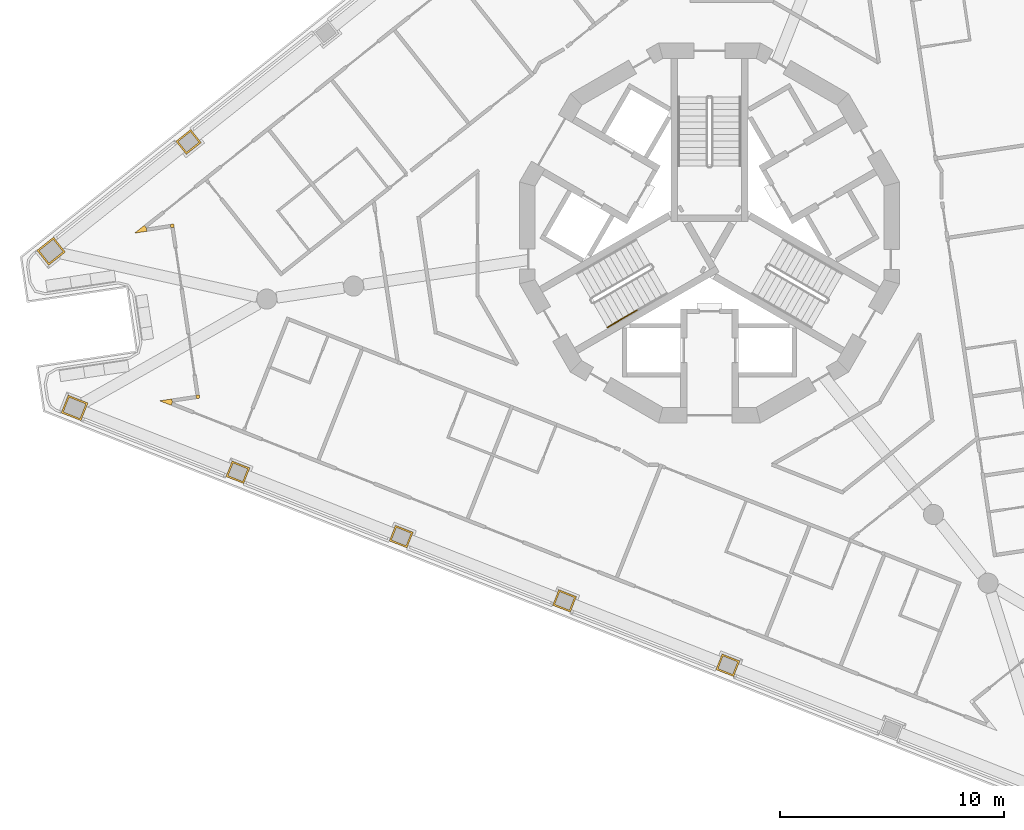
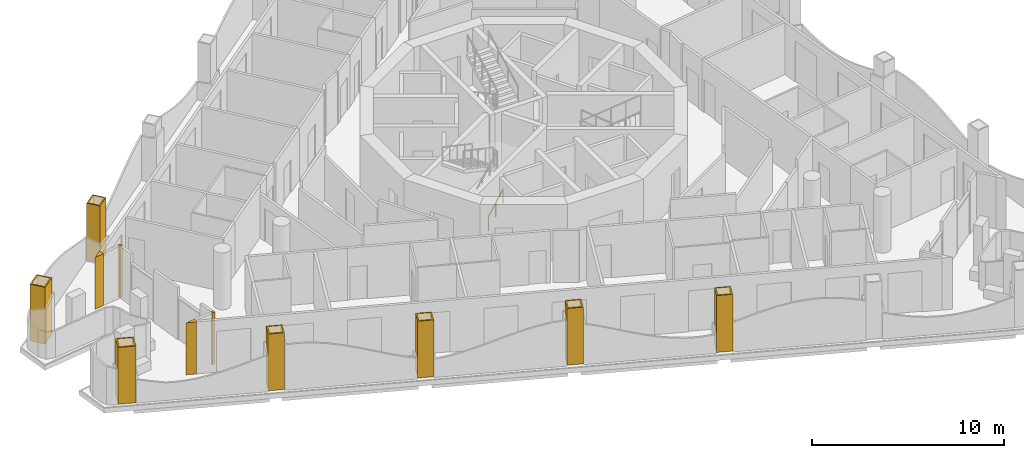
# One storey, part 10 of 16: 11 coverings, 1 railing.
"""IFC4 building model written with IfcOpenShell, lengths in metres."""

import ifcopenshell
import ifcopenshell.guid

model = None  # the IFC model being written
_history = None  # IfcOwnerHistory: only IFC2X3 demands one
_inside = {}  # id of a spatial element -> (the spatial element, [elements in it])
_under = {}  # id of a project, library or spatial element -> (it, [spatial elements below it])
_declared = {}  # id of a project -> (the project, [libraries it declares])
_typed = {}  # id of a type object -> (the type object, [elements of that type])
_made_of = {}  # id of a material, layer set ... -> (it, [elements and type objects made of it])


def new_model(schema):
    """Start an empty IFC model of exactly this schema.

    Asked for "IFC4X3", IfcOpenShell would pick the latest addendum, in which some entities
    have other attributes; the version numbers below select the first issue.
    IFC2X3 requires an IfcOwnerHistory on every rooted entity: one is made here for all.
    """
    global model, _history
    if schema == "IFC4X3":
        model = ifcopenshell.file(schema_version=(4, 3, 0, 0))
    else:
        model = ifcopenshell.file(schema=schema)
    _inside.clear()
    _under.clear()
    _declared.clear()
    _typed.clear()
    _made_of.clear()
    _history = None
    if model.schema == "IFC2X3":
        org = make("IfcOrganization", Name="unknown")
        user = make(
            "IfcPersonAndOrganization",
            ThePerson=make("IfcPerson", FamilyName="unknown"),
            TheOrganization=org,
        )
        app = make(
            "IfcApplication",
            ApplicationDeveloper=org,
            Version="unknown",
            ApplicationFullName="unknown",
            ApplicationIdentifier="unknown",
        )
        _history = make(
            "IfcOwnerHistory",
            OwningUser=user,
            OwningApplication=app,
            ChangeAction="ADDED",
            CreationDate=0,
        )
    return model


def make(cls, **values):
    """One entity of the class cls with the attributes given. An attribute that is None is left unset."""
    return model.create_entity(
        cls, **{name: value for name, value in values.items() if value is not None}
    )


def rooted(cls, **values):
    """An entity with a GlobalId (a new one), such as an element, a storey or a relation."""
    return make(cls, GlobalId=ifcopenshell.guid.new(), OwnerHistory=_history, **values)


def si_unit(unit_type, name, prefix=None):
    """IfcSIUnit, for example si_unit("LENGTHUNIT", "METRE", prefix="MILLI")."""
    return make("IfcSIUnit", UnitType=unit_type, Prefix=prefix, Name=name)


def assignment(units):
    """IfcUnitAssignment: the units of a project."""
    return None if units is None else make("IfcUnitAssignment", Units=units)


def point(xyz):
    """IfcCartesianPoint."""
    return None if xyz is None else make("IfcCartesianPoint", Coordinates=xyz)


def direction(xyz):
    """IfcDirection."""
    return None if xyz is None else make("IfcDirection", DirectionRatios=xyz)


def frame(location, z_axis=None, x_axis=None):
    """IfcAxis2Placement3D, a coordinate frame: its origin and axes. An axis left out is left unset."""
    return make(
        "IfcAxis2Placement3D",
        Location=point(location),
        Axis=direction(z_axis),
        RefDirection=direction(x_axis),
    )


def frame_2d(location, x_axis=None):
    """IfcAxis2Placement2D, a coordinate frame in the plane: its origin and x axis."""
    return make(
        "IfcAxis2Placement2D", Location=point(location), RefDirection=direction(x_axis)
    )


def origin():
    """The frame at (0, 0, 0) with its axes left unset."""
    return frame((0.0, 0.0, 0.0))


def origin_2d():
    """The frame at (0, 0) in the plane with its x axis left unset."""
    return frame_2d((0.0, 0.0))


def place(relative_to, where):
    """IfcLocalPlacement: puts the frame where relative to a parent placement (None: the world)."""
    return make(
        "IfcLocalPlacement", PlacementRelTo=relative_to, RelativePlacement=where
    )


def context(
    kind, dimensions, precision=None, world=None, true_north=None, identifier=None
):
    """IfcGeometricRepresentationContext, for example the 3D "Model" context."""
    return make(
        "IfcGeometricRepresentationContext",
        ContextIdentifier=identifier,
        ContextType=kind,
        CoordinateSpaceDimension=dimensions,
        Precision=precision,
        WorldCoordinateSystem=world,
        TrueNorth=true_north,
    )


def subcontext(parent, identifier, kind, view, scale=None):
    """IfcGeometricRepresentationSubContext, for example "Body" below "Model"."""
    return make(
        "IfcGeometricRepresentationSubContext",
        ContextIdentifier=identifier,
        ContextType=kind,
        ParentContext=parent,
        TargetScale=scale,
        TargetView=view,
    )


def project(units=None, contexts=None):
    """IfcProject with its units and contexts."""
    return rooted(
        "IfcProject",
        Name="project",
        RepresentationContexts=contexts,
        UnitsInContext=assignment(units),
    )


def spatial(cls, under=None, at=None, **own):
    """A site, building, storey or space (cls), placed at a placement, below another one or the project."""
    s = rooted(cls, ObjectPlacement=at, **own)
    if under is not None:
        _under.setdefault(under.id(), (under, []))[1].append(s)
    return s


def polyline(points):
    """IfcPolyline through the points."""
    return make("IfcPolyline", Points=[point(p) for p in points])


def profile(cls, at=None, kind="AREA", **sizes):
    """A parametric profile (cls). Its sizes go by their IFC names, for example OverallWidth=200.0."""
    return make(cls, ProfileType=kind, Position=at, **sizes)


def circle(**sizes):
    """IfcCircleProfileDef."""
    return profile("IfcCircleProfileDef", **sizes)


def outline(outer, holes=None, kind="AREA"):
    """IfcArbitraryClosedProfileDef: a profile drawn as a closed curve; with holes, ...WithVoids."""
    if holes is None:
        return make("IfcArbitraryClosedProfileDef", ProfileType=kind, OuterCurve=outer)
    return make(
        "IfcArbitraryProfileDefWithVoids",
        ProfileType=kind,
        OuterCurve=outer,
        InnerCurves=holes,
    )


def extrude(swept, where, along, depth):
    """IfcExtrudedAreaSolid: the profile swept, set in the frame where, extruded along a direction by depth."""
    return make(
        "IfcExtrudedAreaSolid",
        SweptArea=swept,
        Position=where,
        ExtrudedDirection=direction(along),
        Depth=depth,
    )


def shape(context_of_items, identifier, shape_type, items):
    """IfcShapeRepresentation: the items that make up one representation, for example the "Body"."""
    return make(
        "IfcShapeRepresentation",
        ContextOfItems=context_of_items,
        RepresentationIdentifier=identifier,
        RepresentationType=shape_type,
        Items=items,
    )


def material(Name=None, Category=None):
    """IfcMaterial."""
    return make("IfcMaterial", Name=Name, Category=Category)


def layer(
    of_material, thickness, ventilated=None, Name=None, Category=None, Priority=None
):
    """IfcMaterialLayer: one layer of a wall or slab, of a material (None: an air gap)."""
    return make(
        "IfcMaterialLayer",
        Material=of_material,
        LayerThickness=thickness,
        IsVentilated=ventilated,
        Name=Name,
        Category=Category,
        Priority=Priority,
    )


def layer_set(layers, Name=None):
    """IfcMaterialLayerSet."""
    return make("IfcMaterialLayerSet", MaterialLayers=layers, LayerSetName=Name)


def made_of(thing, what):
    """Note that an element or type object is made of a material, layer set ...; save() writes the relation."""
    if what is not None:
        _made_of.setdefault(what.id(), (what, []))[1].append(thing)
    return thing


def type_object(cls, material=None, **own):
    """A type object (cls), such as IfcWallType, which elements share."""
    return made_of(rooted(cls, **own), material)


def element(
    cls,
    number,
    at=None,
    inside=None,
    cuts=None,
    type_object=None,
    material=None,
    context=None,
    identifier="Body",
    shape_type=None,
    held_by="IfcProductDefinitionShape",
    body=None,
    shapes=None,
    **own,
):
    """One element of the class cls, such as IfcWall. Its Tag is "e" and its number.

    at: its placement. inside: the storey or other place that contains it. cuts: it is an
    opening in that element (IfcRelVoidsElement). A single representation is given by context,
    identifier, shape_type and body (its items); several are given by shapes. held_by: the class
    of the entity that holds the representations. save() writes the other relations.
    """
    e = rooted(cls, Tag="e%d" % number, ObjectPlacement=at, **own)
    if body is not None:
        shapes = [shape(context, identifier, shape_type, body)]
    if shapes is not None:
        e.Representation = make(held_by, Representations=shapes)
    if inside is not None:
        _inside.setdefault(inside.id(), (inside, []))[1].append(e)
    if cuts is not None:
        rooted(
            "IfcRelVoidsElement", RelatingBuildingElement=cuts, RelatedOpeningElement=e
        )
    if type_object is not None:
        _typed.setdefault(type_object.id(), (type_object, []))[1].append(e)
    return made_of(e, material)


def aggregate(whole, parts):
    """IfcRelAggregates: a whole, such as a stair, and the parts it consists of."""
    return rooted("IfcRelAggregates", RelatingObject=whole, RelatedObjects=parts)


def save(model, path):
    """Write the relations noted so far, then the file.

    IfcRelAggregates (storeys below a building ...), IfcRelContainedInSpatialStructure (elements
    in a storey), IfcRelDefinesByType, IfcRelAssociatesMaterial and IfcRelDeclares: one each for
    every whole, place, type object, material and project.
    """
    for whole, parts in _under.values():
        aggregate(whole, parts)
    for where, things in _inside.values():
        rooted(
            "IfcRelContainedInSpatialStructure",
            RelatedElements=things,
            RelatingStructure=where,
        )
    for kind, things in _typed.values():
        rooted("IfcRelDefinesByType", RelatedObjects=things, RelatingType=kind)
    for what, things in _made_of.values():
        rooted("IfcRelAssociatesMaterial", RelatedObjects=things, RelatingMaterial=what)
    for by, libraries in _declared.values():
        rooted("IfcRelDeclares", RelatingContext=by, RelatedDefinitions=libraries)
    model.write(path)


model = new_model("IFC4")

# Units and contexts
model_context = context("Model", 3, precision=1e-05, world=origin(), true_north=direction((0.0, 1.0)))
body_context = subcontext(model_context, "Body", "Model", "MODEL_VIEW")
ifc_project = project(units=[si_unit("LENGTHUNIT", "METRE"), si_unit("AREAUNIT", "SQUARE_METRE"), si_unit("VOLUMEUNIT", "CUBIC_METRE"), si_unit("PLANEANGLEUNIT", "RADIAN"), si_unit("MASSUNIT", "GRAM", prefix="KILO")], contexts=[model_context])

# Site, building, storey
site_placement = place(None, origin())
site = spatial("IfcSite", under=ifc_project, at=site_placement, CompositionType="ELEMENT")
building_placement = place(site_placement, origin())
building = spatial("IfcBuilding", under=site, at=building_placement, Name="Trine Commons Tower", CompositionType="ELEMENT")
storey_placement = place(building_placement, frame((0.0, 0.0, 201.60009765625)))
storey = spatial("IfcBuildingStorey", under=building, at=storey_placement, Name="L52", CompositionType="ELEMENT", Elevation=201.60009765625)

# Coverings
ifc_material_1 = material(Name="Aluminium-framed insulated wall panel", Category="aluminium")
ifc_layer_1 = layer(ifc_material_1, 0.14990234375)
ifc_layer_set_1 = layer_set([ifc_layer_1], Name="Aluminium-framed insulated wall panel")
covering_type_1 = type_object("IfcCoveringType", Name="Glazing corner post, aluminium", PredefinedType="CLADDING", material=ifc_layer_set_1)
covering_1_placement = place(storey_placement, origin())
element("IfcCovering", 1, at=covering_1_placement, inside=storey, type_object=covering_type_1, Name="Glazing corner post 6-01", PredefinedType="CLADDING", context=body_context, shape_type="SweptSolid", body=[
    extrude(outline(polyline([(54.83642578125, 62.5712890625), (54.814208984375, 62.7197265625), (54.720947265625, 62.837158203125), (54.28271484375, 62.488525390625), (54.83642578125, 62.5712890625)])), origin(), (0.0, 0.0, 1.0), 3.2998046875),
])
covering_2_placement = place(storey_placement, origin())
element("IfcCovering", 2, at=covering_2_placement, inside=storey, type_object=covering_type_1, Name="Glazing corner post 6-10", PredefinedType="CLADDING", context=body_context, shape_type="SweptSolid", body=[
    extrude(outline(polyline([(55.924072265625, 54.78662109375), (55.97900390625, 54.92626953125), (55.956787109375, 55.07470703125), (55.4033203125, 54.991943359375), (55.924072265625, 54.78662109375)])), origin(), (0.0, 0.0, 1.0), 3.2998046875),
])
covering_3_placement = place(storey_placement, origin())
element("IfcCovering", 3, at=covering_3_placement, inside=storey, type_object=covering_type_1, Name="Glazing corner post 6-11", PredefinedType="CLADDING", context=body_context, shape_type="SweptSolid", body=[
    extrude(outline(polyline([(57.030517578125, 55.235107421875), (57.052734375, 55.0869140625), (57.201171875, 55.10888671875), (57.178955078125, 55.25732421875), (57.030517578125, 55.235107421875)])), origin(), (0.0, 0.0, 1.0), 3.2998046875),
])
covering_4_placement = place(storey_placement, origin())
element("IfcCovering", 4, at=covering_4_placement, inside=storey, type_object=covering_type_1, Name="Glazing corner post 6-12", PredefinedType="CLADDING", context=body_context, shape_type="SweptSolid", body=[
    extrude(outline(polyline([(55.91015625, 62.731689453125), (55.91015625, 62.731689453125), (56.05859375, 62.75390625), (56.036376953125, 62.90234375), (55.887939453125, 62.880126953125), (55.91015625, 62.731689453125)])), origin(), (0.0, 0.0, 1.0), 3.2998046875),
])
ifc_material_2 = material(Name="Limestone, honed", Category="masonry")
ifc_layer_2 = layer(ifc_material_2, 0.074951171875)
ifc_layer_set_2 = layer_set([ifc_layer_2], Name="Limestone, honed")
covering_type_2 = type_object("IfcCoveringType", Name="Limestone column cladding 75", PredefinedType="CLADDING", material=ifc_layer_set_2)
covering_5_placement = place(storey_placement, origin())
element("IfcCovering", 5, at=covering_5_placement, inside=storey, type_object=covering_type_2, Name="Limestone pier cladding 6-03", PredefinedType="CLADDING", context=body_context, shape_type="SweptSolid", body=[
    extrude(outline(polyline([(80.562744140625, 43.66796875), (80.287841796875, 42.97021484375), (81.078857421875, 42.658447265625), (81.353759765625, 43.356201171875), (80.562744140625, 43.66796875)]), holes=[polyline([(80.60498046875, 43.570556640625), (80.38525390625, 43.012451171875), (81.03662109375, 42.755859375), (81.25634765625, 43.31396484375), (80.60498046875, 43.570556640625)])]), origin(), (0.0, 0.0, 1.0), 3.599853515625),
])
covering_6_placement = place(storey_placement, origin())
element("IfcCovering", 6, at=covering_6_placement, inside=storey, type_object=covering_type_2, Name="Limestone pier cladding 6-04", PredefinedType="CLADDING", context=body_context, shape_type="SweptSolid", body=[
    extrude(outline(polyline([(73.25830078125, 46.545166015625), (72.9833984375, 45.847412109375), (73.7744140625, 45.535888671875), (74.04931640625, 46.233642578125), (73.25830078125, 46.545166015625)]), holes=[polyline([(73.30078125, 46.447998046875), (73.080810546875, 45.8896484375), (73.732177734375, 45.633056640625), (73.951904296875, 46.19140625), (73.30078125, 46.447998046875)])]), origin(), (0.0, 0.0, 1.0), 3.599853515625),
])
covering_7_placement = place(storey_placement, origin())
element("IfcCovering", 7, at=covering_7_placement, inside=storey, type_object=covering_type_2, Name="Limestone pier cladding 6-05", PredefinedType="CLADDING", context=body_context, shape_type="SweptSolid", body=[
    extrude(outline(polyline([(65.9541015625, 49.42236328125), (65.67919921875, 48.724609375), (66.47021484375, 48.4130859375), (66.7451171875, 49.11083984375), (65.9541015625, 49.42236328125)]), holes=[polyline([(65.996337890625, 49.3251953125), (65.776611328125, 48.766845703125), (66.427734375, 48.51025390625), (66.647705078125, 49.068603515625), (65.996337890625, 49.3251953125)])]), origin(), (0.0, 0.0, 1.0), 3.599853515625),
])
covering_8_placement = place(storey_placement, origin())
element("IfcCovering", 8, at=covering_8_placement, inside=storey, type_object=covering_type_2, Name="Limestone pier cladding 6-06", PredefinedType="CLADDING", context=body_context, shape_type="SweptSolid", body=[
    extrude(outline(polyline([(58.64990234375, 52.2998046875), (58.375, 51.601806640625), (59.165771484375, 51.290283203125), (59.440673828125, 51.988037109375), (58.64990234375, 52.2998046875)]), holes=[polyline([(58.692138671875, 52.202392578125), (58.47216796875, 51.644287109375), (59.12353515625, 51.3876953125), (59.343505859375, 51.94580078125), (58.692138671875, 52.202392578125)])]), origin(), (0.0, 0.0, 1.0), 3.599853515625),
])
covering_9_placement = place(storey_placement, origin())
element("IfcCovering", 9, at=covering_9_placement, inside=storey, type_object=covering_type_2, Name="Limestone pier cladding 6-07", PredefinedType="CLADDING", context=body_context, shape_type="SweptSolid", body=[
    extrude(outline(polyline([(51.317138671875, 55.24169921875), (51.005615234375, 54.450927734375), (51.8896484375, 54.102783203125), (52.201171875, 54.8935546875), (51.317138671875, 55.24169921875)]), holes=[polyline([(51.359619140625, 55.14453125), (51.10302734375, 54.493408203125), (51.847412109375, 54.2001953125), (52.103759765625, 54.851318359375), (51.359619140625, 55.14453125)])]), origin(), (0.0, 0.0, 1.0), 3.599853515625),
])
covering_10_placement = place(storey_placement, origin())
element("IfcCovering", 10, at=covering_10_placement, inside=storey, type_object=covering_type_2, Name="Limestone pier cladding 6-08", PredefinedType="CLADDING", context=body_context, shape_type="SweptSolid", body=[
    extrude(outline(polyline([(51.19189453125, 61.646484375), (50.662841796875, 62.311767578125), (49.919189453125, 61.72021484375), (50.448486328125, 61.05517578125), (51.19189453125, 61.646484375)]), holes=[polyline([(51.08642578125, 61.658447265625), (50.65087890625, 62.206298828125), (50.024658203125, 61.708251953125), (50.46044921875, 61.160400390625), (51.08642578125, 61.658447265625)])]), origin(), (0.0, 0.0, 1.0), 3.599853515625),
])
covering_11_placement = place(storey_placement, origin())
element("IfcCovering", 11, at=covering_11_placement, inside=storey, type_object=covering_type_2, Name="Limestone pier cladding 6-09", PredefinedType="CLADDING", context=body_context, shape_type="SweptSolid", body=[
    extrude(outline(polyline([(57.265625, 66.54150390625), (56.798583984375, 67.12841796875), (56.13330078125, 66.599365234375), (56.600341796875, 66.012451171875), (57.265625, 66.54150390625)]), holes=[polyline([(57.16015625, 66.5537109375), (56.78662109375, 67.023193359375), (56.23876953125, 66.58740234375), (56.6123046875, 66.117919921875), (57.16015625, 66.5537109375)])]), origin(), (0.0, 0.0, 1.0), 3.599853515625),
])

# Railing
ifc_material_3 = material(Name="Stainless steel handrail", Category="steel")
railing_type = type_object("IfcRailingType", Name="Stair handrail, steel 900", PredefinedType="HANDRAIL", material=ifc_material_3)
railing_placement = place(storey_placement, frame((75.43017578125, 58.27392578125, 0.14990234375)))
element("IfcRailing", 12, at=railing_placement, inside=storey, type_object=railing_type, Name="L52 ST2C stair handrail 1", PredefinedType="HANDRAIL", context=body_context, shape_type="SweptSolid", body=[
    extrude(circle(Radius=0.02099609375, at=origin_2d()), frame((0.0, 0.0, 0.87890625), z_axis=(0.76340495495, 0.440743040072, 0.472184759798), x_axis=(-0.499992328818, 0.866029832698, 0.0)), (0.0, 0.0, 1.0), 1.7470703125),
    extrude(circle(Radius=0.01513671875, at=origin_2d()), origin(), (0.0, 0.0, 1.0), 0.85791015625),
    extrude(circle(Radius=0.01513671875, at=origin_2d()), frame((0.6669921875, 0.385009765625, 0.41259765625)), (0.0, 0.0, 1.0), 0.85791015625),
    extrude(circle(Radius=0.01513671875, at=origin_2d()), frame((1.333740234375, 0.77001953125, 0.824951171875)), (0.0, 0.0, 1.0), 0.85791015625),
])

save(model, "model.ifc")
